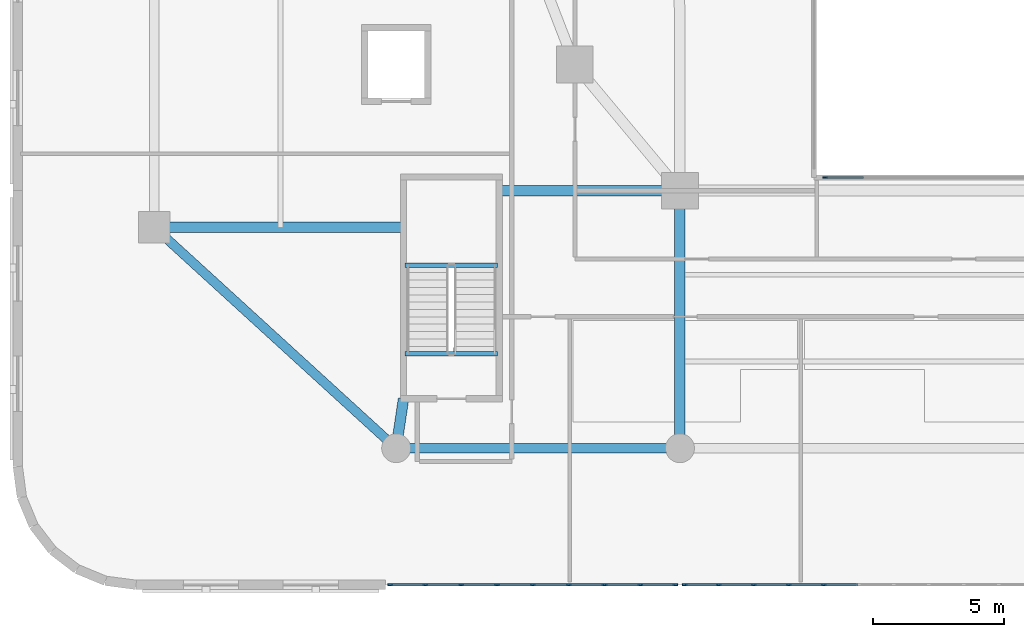
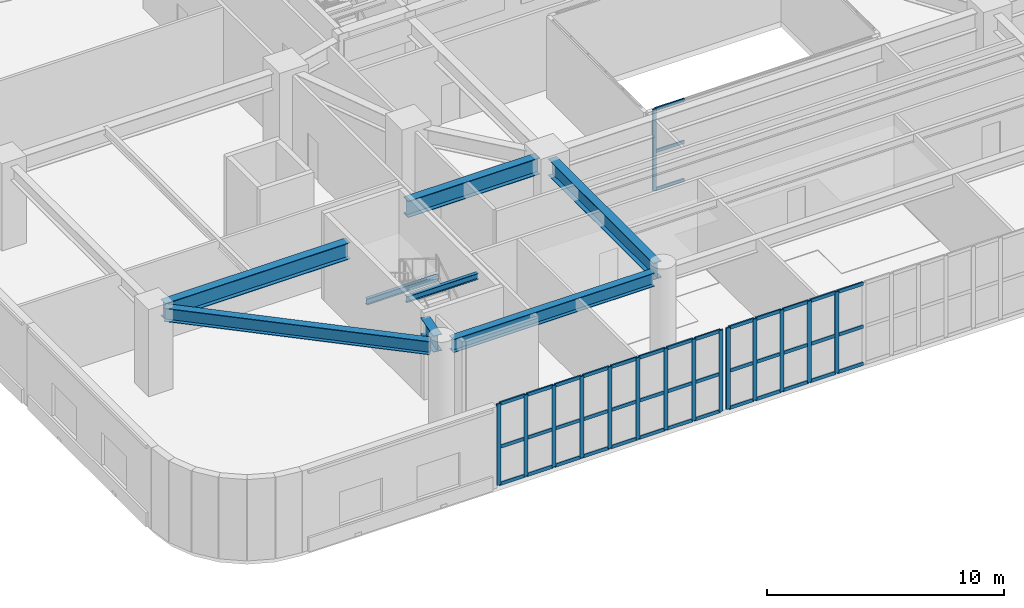
# One storey, part 3 of 25: 57 members, 8 beams, 3 elements without a shape of their own.
"""IFC4 building model written with IfcOpenShell, lengths in metres."""

from ifc_helpers import new_model, si_unit, direction, frame, origin, origin_2d, place, context, subcontext, project, spatial, rectangle, i_section, extrude, material, material_profile, profile_set, type_object, element, aggregate, save


model = new_model("IFC4")

# Units and contexts
model_context = context("Model", 3, precision=1e-05, world=origin(), true_north=direction((0.0, 1.0)))
body_context = subcontext(model_context, "Body", "Model", "MODEL_VIEW")
ifc_project = project(units=[si_unit("LENGTHUNIT", "METRE"), si_unit("AREAUNIT", "SQUARE_METRE"), si_unit("VOLUMEUNIT", "CUBIC_METRE"), si_unit("PLANEANGLEUNIT", "RADIAN"), si_unit("MASSUNIT", "GRAM", prefix="KILO")], contexts=[model_context])

# Site, building, storey
site_placement = place(None, origin())
site = spatial("IfcSite", under=ifc_project, at=site_placement, CompositionType="ELEMENT")
building_placement = place(site_placement, origin())
building = spatial("IfcBuilding", under=site, at=building_placement, Name="Haldorwick Loom Tower", CompositionType="ELEMENT")
storey_placement = place(building_placement, frame((0.0, 0.0, 15.0)))
storey = spatial("IfcBuildingStorey", under=building, at=storey_placement, Name="L03", CompositionType="ELEMENT", Elevation=15.0)

# Curtain wall, members
ifc_material_1 = material(Name="Thermally Broken Anodized Aluminium Curtain Wall Framing", Category="aluminium")
curtain_wall_type_1 = type_object("IfcCurtainWallType", Name="ARC-CW-02", PredefinedType="NOTDEFINED", material=ifc_material_1)
curtain_wall_1_placement = place(storey_placement, origin())
curtain_wall_1 = element("IfcCurtainWall", 1, at=curtain_wall_1_placement, inside=storey, type_object=curtain_wall_type_1, Name="L03 Facade Curtain Wall CW-02 Bay 39", PredefinedType="NOTDEFINED")
ifc_material_profile_1 = material_profile(ifc_material_1, rectangle(XDim=0.070068359375, YDim=0.195068359375, at=origin_2d()), Name="ALU_MUL_70X195", Category="aluminium")
ifc_profile_set_1 = profile_set([ifc_material_profile_1], Name="Thermally Broken Anodized Aluminium Curtain Wall Framing")
member_type_1 = type_object("IfcMemberType", Name="ARC-CWM-02", PredefinedType="MULLION", material=ifc_profile_set_1)
member_1_placement = place(storey_placement, frame((14.175048828125, 0.0, 0.0), z_axis=(0.0, 0.0, 1.0), x_axis=(0.0, 1.0, 0.0)))
member_1 = element("IfcMember", 2, at=member_1_placement, type_object=member_type_1, Name="CW-02 mullion 1", PredefinedType="MULLION", context=body_context, shape_type="SweptSolid", body=[
    extrude(rectangle(XDim=0.070068359375, YDim=0.195068359375, at=origin_2d()), origin(), (0.0, 0.0, 1.0), 4.199951171875),
])
member_2_placement = place(storey_placement, frame((15.5048828125, 0.0, 0.0), z_axis=(0.0, 0.0, 1.0), x_axis=(0.0, 1.0, 0.0)))
member_2 = element("IfcMember", 3, at=member_2_placement, type_object=member_type_1, Name="CW-02 mullion 2", PredefinedType="MULLION", context=body_context, shape_type="SweptSolid", body=[
    extrude(rectangle(XDim=0.070068359375, YDim=0.195068359375, at=origin_2d()), origin(), (0.0, 0.0, 1.0), 4.199951171875),
])
member_3_placement = place(storey_placement, frame((16.8701171875, 0.0, 0.0), z_axis=(0.0, 0.0, 1.0), x_axis=(0.0, 1.0, 0.0)))
member_3 = element("IfcMember", 4, at=member_3_placement, type_object=member_type_1, Name="CW-02 mullion 3", PredefinedType="MULLION", context=body_context, shape_type="SweptSolid", body=[
    extrude(rectangle(XDim=0.070068359375, YDim=0.195068359375, at=origin_2d()), origin(), (0.0, 0.0, 1.0), 4.199951171875),
])
member_4_placement = place(storey_placement, frame((18.235107421875, 0.0, 0.0), z_axis=(0.0, 0.0, 1.0), x_axis=(0.0, 1.0, 0.0)))
member_4 = element("IfcMember", 5, at=member_4_placement, type_object=member_type_1, Name="CW-02 mullion 4", PredefinedType="MULLION", context=body_context, shape_type="SweptSolid", body=[
    extrude(rectangle(XDim=0.070068359375, YDim=0.195068359375, at=origin_2d()), origin(), (0.0, 0.0, 1.0), 4.199951171875),
])
member_5_placement = place(storey_placement, frame((19.60009765625, 0.0, 0.0), z_axis=(0.0, 0.0, 1.0), x_axis=(0.0, 1.0, 0.0)))
member_5 = element("IfcMember", 6, at=member_5_placement, type_object=member_type_1, Name="CW-02 mullion 5", PredefinedType="MULLION", context=body_context, shape_type="SweptSolid", body=[
    extrude(rectangle(XDim=0.070068359375, YDim=0.195068359375, at=origin_2d()), origin(), (0.0, 0.0, 1.0), 4.199951171875),
])
member_6_placement = place(storey_placement, frame((20.965087890625, 0.0, 0.0), z_axis=(0.0, 0.0, 1.0), x_axis=(0.0, 1.0, 0.0)))
member_6 = element("IfcMember", 7, at=member_6_placement, type_object=member_type_1, Name="CW-02 mullion 6", PredefinedType="MULLION", context=body_context, shape_type="SweptSolid", body=[
    extrude(rectangle(XDim=0.070068359375, YDim=0.195068359375, at=origin_2d()), origin(), (0.0, 0.0, 1.0), 4.199951171875),
])
member_7_placement = place(storey_placement, frame((22.330078125, 0.0, 0.0), z_axis=(0.0, 0.0, 1.0), x_axis=(0.0, 1.0, 0.0)))
member_7 = element("IfcMember", 8, at=member_7_placement, type_object=member_type_1, Name="CW-02 mullion 7", PredefinedType="MULLION", context=body_context, shape_type="SweptSolid", body=[
    extrude(rectangle(XDim=0.070068359375, YDim=0.195068359375, at=origin_2d()), origin(), (0.0, 0.0, 1.0), 4.199951171875),
])
member_8_placement = place(storey_placement, frame((23.695068359375, 0.0, 0.0), z_axis=(0.0, 0.0, 1.0), x_axis=(0.0, 1.0, 0.0)))
member_8 = element("IfcMember", 9, at=member_8_placement, type_object=member_type_1, Name="CW-02 mullion 8", PredefinedType="MULLION", context=body_context, shape_type="SweptSolid", body=[
    extrude(rectangle(XDim=0.070068359375, YDim=0.195068359375, at=origin_2d()), origin(), (0.0, 0.0, 1.0), 4.199951171875),
])
member_9_placement = place(storey_placement, frame((25.02490234375, 0.0, 0.0), z_axis=(0.0, 0.0, 1.0), x_axis=(0.0, 1.0, 0.0)))
member_9 = element("IfcMember", 10, at=member_9_placement, type_object=member_type_1, Name="CW-02 mullion 9", PredefinedType="MULLION", context=body_context, shape_type="SweptSolid", body=[
    extrude(rectangle(XDim=0.070068359375, YDim=0.195068359375, at=origin_2d()), origin(), (0.0, 0.0, 1.0), 4.199951171875),
])

curtain_wall_2_placement = place(storey_placement, origin())
curtain_wall_2 = element("IfcCurtainWall", 11, at=curtain_wall_2_placement, inside=storey, type_object=curtain_wall_type_1, Name="L03 Facade Curtain Wall CW-02 Bay 40", PredefinedType="NOTDEFINED")
member_10_placement = place(storey_placement, frame((25.375, 0.0, 0.0), z_axis=(0.0, 0.0, 1.0), x_axis=(0.0, 1.0, 0.0)))
member_10 = element("IfcMember", 12, at=member_10_placement, type_object=member_type_1, Name="CW-02 mullion 1", PredefinedType="MULLION", context=body_context, shape_type="SweptSolid", body=[
    extrude(rectangle(XDim=0.070068359375, YDim=0.195068359375, at=origin_2d()), origin(), (0.0, 0.0, 1.0), 4.199951171875),
])
member_11_placement = place(storey_placement, frame((26.672607421875, 0.0, 0.0), z_axis=(0.0, 0.0, 1.0), x_axis=(0.0, 1.0, 0.0)))
member_11 = element("IfcMember", 13, at=member_11_placement, type_object=member_type_1, Name="CW-02 mullion 2", PredefinedType="MULLION", context=body_context, shape_type="SweptSolid", body=[
    extrude(rectangle(XDim=0.070068359375, YDim=0.195068359375, at=origin_2d()), origin(), (0.0, 0.0, 1.0), 4.199951171875),
])
member_12_placement = place(storey_placement, frame((28.0048828125, 0.0, 0.0), z_axis=(0.0, 0.0, 1.0), x_axis=(0.0, 1.0, 0.0)))
member_12 = element("IfcMember", 14, at=member_12_placement, type_object=member_type_1, Name="CW-02 mullion 3", PredefinedType="MULLION", context=body_context, shape_type="SweptSolid", body=[
    extrude(rectangle(XDim=0.070068359375, YDim=0.195068359375, at=origin_2d()), origin(), (0.0, 0.0, 1.0), 4.199951171875),
])
member_13_placement = place(storey_placement, frame((29.33740234375, 0.0, 0.0), z_axis=(0.0, 0.0, 1.0), x_axis=(0.0, 1.0, 0.0)))
member_13 = element("IfcMember", 15, at=member_13_placement, type_object=member_type_1, Name="CW-02 mullion 4", PredefinedType="MULLION", context=body_context, shape_type="SweptSolid", body=[
    extrude(rectangle(XDim=0.070068359375, YDim=0.195068359375, at=origin_2d()), origin(), (0.0, 0.0, 1.0), 4.199951171875),
])
member_14_placement = place(storey_placement, frame((30.669921875, 0.0, 0.0), z_axis=(0.0, 0.0, 1.0), x_axis=(0.0, 1.0, 0.0)))
member_14 = element("IfcMember", 16, at=member_14_placement, type_object=member_type_1, Name="CW-02 mullion 5", PredefinedType="MULLION", context=body_context, shape_type="SweptSolid", body=[
    extrude(rectangle(XDim=0.070068359375, YDim=0.195068359375, at=origin_2d()), origin(), (0.0, 0.0, 1.0), 4.199951171875),
])

# Curtain wall, member
curtain_wall_type_2 = type_object("IfcCurtainWallType", Name="ARC-CW-03", PredefinedType="NOTDEFINED", material=ifc_material_1)
curtain_wall_3_placement = place(storey_placement, origin())
curtain_wall_3 = element("IfcCurtainWall", 17, at=curtain_wall_3_placement, inside=storey, type_object=curtain_wall_type_2, Name="L03 Atrium Glazed Screen S", PredefinedType="NOTDEFINED")
ifc_material_profile_2 = material_profile(ifc_material_1, rectangle(XDim=0.06591796875, YDim=0.18505859375, at=origin_2d()), Name="ALU_MUL_66X185", Category="aluminium")
ifc_profile_set_2 = profile_set([ifc_material_profile_2], Name="Thermally Broken Anodized Aluminium Curtain Wall Framing")
member_type_2 = type_object("IfcMemberType", Name="ARC-CWM-03", PredefinedType="MULLION", material=ifc_profile_set_2)
member_15_placement = place(storey_placement, frame((30.73291015625, 15.5, 0.0), z_axis=(0.0, 0.0, 1.0), x_axis=(0.0, -1.0, 0.0)))
member_15 = element("IfcMember", 18, at=member_15_placement, type_object=member_type_2, Name="CW-03 mullion 8", PredefinedType="MULLION", context=body_context, shape_type="SweptSolid", body=[
    extrude(rectangle(XDim=0.06591796875, YDim=0.18505859375, at=origin_2d()), origin(), (0.0, 0.0, 1.0), 4.199951171875),
])

# Member
ifc_material_profile_3 = material_profile(ifc_material_1, rectangle(XDim=0.070068359375, YDim=0.175048828125, at=origin_2d()), Name="ALU_TRN_70X175", Category="aluminium")
ifc_profile_set_3 = profile_set([ifc_material_profile_3], Name="Thermally Broken Anodized Aluminium Curtain Wall Framing")
member_type_3 = type_object("IfcMemberType", Name="ARC-CWT-02", PredefinedType="USERDEFINED", material=ifc_profile_set_3)
member_16_placement = place(storey_placement, frame((14.2099609375, 0.0, 0.034912109375), z_axis=(1.0, 0.0, 0.0), x_axis=(0.0, 1.0, 0.0)))
member_16 = element("IfcMember", 19, at=member_16_placement, type_object=member_type_3, Name="CW-02 transom 1.1", ObjectType="TRANSOM", PredefinedType="USERDEFINED", context=body_context, shape_type="SweptSolid", body=[
    extrude(rectangle(XDim=0.070068359375, YDim=0.175048828125, at=origin_2d()), origin(), (0.0, 0.0, 1.0), 1.260009765625),
])

member_17_placement = place(storey_placement, frame((14.2099609375, 0.0, 1.949951171875), z_axis=(1.0, 0.0, 0.0), x_axis=(0.0, 1.0, 0.0)))
member_17 = element("IfcMember", 20, at=member_17_placement, type_object=member_type_3, Name="CW-02 transom 1.2", ObjectType="TRANSOM", PredefinedType="USERDEFINED", context=body_context, shape_type="SweptSolid", body=[
    extrude(rectangle(XDim=0.070068359375, YDim=0.175048828125, at=origin_2d()), origin(), (0.0, 0.0, 1.0), 1.260009765625),
])

member_18_placement = place(storey_placement, frame((14.2099609375, 0.0, 4.1650390625), z_axis=(1.0, 0.0, 0.0), x_axis=(0.0, 1.0, 0.0)))
member_18 = element("IfcMember", 21, at=member_18_placement, type_object=member_type_3, Name="CW-02 transom 1.3", ObjectType="TRANSOM", PredefinedType="USERDEFINED", context=body_context, shape_type="SweptSolid", body=[
    extrude(rectangle(XDim=0.070068359375, YDim=0.175048828125, at=origin_2d()), origin(), (0.0, 0.0, 1.0), 1.260009765625),
])

member_19_placement = place(storey_placement, frame((15.5400390625, 0.0, 0.034912109375), z_axis=(1.0, 0.0, 0.0), x_axis=(0.0, 1.0, 0.0)))
member_19 = element("IfcMember", 22, at=member_19_placement, type_object=member_type_3, Name="CW-02 transom 2.1", ObjectType="TRANSOM", PredefinedType="USERDEFINED", context=body_context, shape_type="SweptSolid", body=[
    extrude(rectangle(XDim=0.070068359375, YDim=0.175048828125, at=origin_2d()), origin(), (0.0, 0.0, 1.0), 1.294921875),
])

member_20_placement = place(storey_placement, frame((15.5400390625, 0.0, 1.949951171875), z_axis=(1.0, 0.0, 0.0), x_axis=(0.0, 1.0, 0.0)))
member_20 = element("IfcMember", 23, at=member_20_placement, type_object=member_type_3, Name="CW-02 transom 2.2", ObjectType="TRANSOM", PredefinedType="USERDEFINED", context=body_context, shape_type="SweptSolid", body=[
    extrude(rectangle(XDim=0.070068359375, YDim=0.175048828125, at=origin_2d()), origin(), (0.0, 0.0, 1.0), 1.294921875),
])

member_21_placement = place(storey_placement, frame((15.5400390625, 0.0, 4.1650390625), z_axis=(1.0, 0.0, 0.0), x_axis=(0.0, 1.0, 0.0)))
member_21 = element("IfcMember", 24, at=member_21_placement, type_object=member_type_3, Name="CW-02 transom 2.3", ObjectType="TRANSOM", PredefinedType="USERDEFINED", context=body_context, shape_type="SweptSolid", body=[
    extrude(rectangle(XDim=0.070068359375, YDim=0.175048828125, at=origin_2d()), origin(), (0.0, 0.0, 1.0), 1.294921875),
])

member_22_placement = place(storey_placement, frame((16.905029296875, 0.0, 0.034912109375), z_axis=(1.0, 0.0, 0.0), x_axis=(0.0, 1.0, 0.0)))
member_22 = element("IfcMember", 25, at=member_22_placement, type_object=member_type_3, Name="CW-02 transom 3.1", ObjectType="TRANSOM", PredefinedType="USERDEFINED", context=body_context, shape_type="SweptSolid", body=[
    extrude(rectangle(XDim=0.070068359375, YDim=0.175048828125, at=origin_2d()), origin(), (0.0, 0.0, 1.0), 1.294921875),
])

member_23_placement = place(storey_placement, frame((16.905029296875, 0.0, 1.949951171875), z_axis=(1.0, 0.0, 0.0), x_axis=(0.0, 1.0, 0.0)))
member_23 = element("IfcMember", 26, at=member_23_placement, type_object=member_type_3, Name="CW-02 transom 3.2", ObjectType="TRANSOM", PredefinedType="USERDEFINED", context=body_context, shape_type="SweptSolid", body=[
    extrude(rectangle(XDim=0.070068359375, YDim=0.175048828125, at=origin_2d()), origin(), (0.0, 0.0, 1.0), 1.294921875),
])

member_24_placement = place(storey_placement, frame((16.905029296875, 0.0, 4.1650390625), z_axis=(1.0, 0.0, 0.0), x_axis=(0.0, 1.0, 0.0)))
member_24 = element("IfcMember", 27, at=member_24_placement, type_object=member_type_3, Name="CW-02 transom 3.3", ObjectType="TRANSOM", PredefinedType="USERDEFINED", context=body_context, shape_type="SweptSolid", body=[
    extrude(rectangle(XDim=0.070068359375, YDim=0.175048828125, at=origin_2d()), origin(), (0.0, 0.0, 1.0), 1.294921875),
])

member_25_placement = place(storey_placement, frame((18.27001953125, 0.0, 0.034912109375), z_axis=(1.0, 0.0, 0.0), x_axis=(0.0, 1.0, 0.0)))
member_25 = element("IfcMember", 28, at=member_25_placement, type_object=member_type_3, Name="CW-02 transom 4.1", ObjectType="TRANSOM", PredefinedType="USERDEFINED", context=body_context, shape_type="SweptSolid", body=[
    extrude(rectangle(XDim=0.070068359375, YDim=0.175048828125, at=origin_2d()), origin(), (0.0, 0.0, 1.0), 1.294921875),
])

member_26_placement = place(storey_placement, frame((18.27001953125, 0.0, 1.949951171875), z_axis=(1.0, 0.0, 0.0), x_axis=(0.0, 1.0, 0.0)))
member_26 = element("IfcMember", 29, at=member_26_placement, type_object=member_type_3, Name="CW-02 transom 4.2", ObjectType="TRANSOM", PredefinedType="USERDEFINED", context=body_context, shape_type="SweptSolid", body=[
    extrude(rectangle(XDim=0.070068359375, YDim=0.175048828125, at=origin_2d()), origin(), (0.0, 0.0, 1.0), 1.294921875),
])

member_27_placement = place(storey_placement, frame((18.27001953125, 0.0, 4.1650390625), z_axis=(1.0, 0.0, 0.0), x_axis=(0.0, 1.0, 0.0)))
member_27 = element("IfcMember", 30, at=member_27_placement, type_object=member_type_3, Name="CW-02 transom 4.3", ObjectType="TRANSOM", PredefinedType="USERDEFINED", context=body_context, shape_type="SweptSolid", body=[
    extrude(rectangle(XDim=0.070068359375, YDim=0.175048828125, at=origin_2d()), origin(), (0.0, 0.0, 1.0), 1.294921875),
])

member_28_placement = place(storey_placement, frame((19.635009765625, 0.0, 0.034912109375), z_axis=(1.0, 0.0, 0.0), x_axis=(0.0, 1.0, 0.0)))
member_28 = element("IfcMember", 31, at=member_28_placement, type_object=member_type_3, Name="CW-02 transom 5.1", ObjectType="TRANSOM", PredefinedType="USERDEFINED", context=body_context, shape_type="SweptSolid", body=[
    extrude(rectangle(XDim=0.070068359375, YDim=0.175048828125, at=origin_2d()), origin(), (0.0, 0.0, 1.0), 1.294921875),
])

member_29_placement = place(storey_placement, frame((19.635009765625, 0.0, 1.949951171875), z_axis=(1.0, 0.0, 0.0), x_axis=(0.0, 1.0, 0.0)))
member_29 = element("IfcMember", 32, at=member_29_placement, type_object=member_type_3, Name="CW-02 transom 5.2", ObjectType="TRANSOM", PredefinedType="USERDEFINED", context=body_context, shape_type="SweptSolid", body=[
    extrude(rectangle(XDim=0.070068359375, YDim=0.175048828125, at=origin_2d()), origin(), (0.0, 0.0, 1.0), 1.294921875),
])

member_30_placement = place(storey_placement, frame((19.635009765625, 0.0, 4.1650390625), z_axis=(1.0, 0.0, 0.0), x_axis=(0.0, 1.0, 0.0)))
member_30 = element("IfcMember", 33, at=member_30_placement, type_object=member_type_3, Name="CW-02 transom 5.3", ObjectType="TRANSOM", PredefinedType="USERDEFINED", context=body_context, shape_type="SweptSolid", body=[
    extrude(rectangle(XDim=0.070068359375, YDim=0.175048828125, at=origin_2d()), origin(), (0.0, 0.0, 1.0), 1.294921875),
])

member_31_placement = place(storey_placement, frame((21.0, 0.0, 0.034912109375), z_axis=(1.0, 0.0, 0.0), x_axis=(0.0, 1.0, 0.0)))
member_31 = element("IfcMember", 34, at=member_31_placement, type_object=member_type_3, Name="CW-02 transom 6.1", ObjectType="TRANSOM", PredefinedType="USERDEFINED", context=body_context, shape_type="SweptSolid", body=[
    extrude(rectangle(XDim=0.070068359375, YDim=0.175048828125, at=origin_2d()), origin(), (0.0, 0.0, 1.0), 1.294921875),
])

member_32_placement = place(storey_placement, frame((21.0, 0.0, 1.949951171875), z_axis=(1.0, 0.0, 0.0), x_axis=(0.0, 1.0, 0.0)))
member_32 = element("IfcMember", 35, at=member_32_placement, type_object=member_type_3, Name="CW-02 transom 6.2", ObjectType="TRANSOM", PredefinedType="USERDEFINED", context=body_context, shape_type="SweptSolid", body=[
    extrude(rectangle(XDim=0.070068359375, YDim=0.175048828125, at=origin_2d()), origin(), (0.0, 0.0, 1.0), 1.294921875),
])

member_33_placement = place(storey_placement, frame((21.0, 0.0, 4.1650390625), z_axis=(1.0, 0.0, 0.0), x_axis=(0.0, 1.0, 0.0)))
member_33 = element("IfcMember", 36, at=member_33_placement, type_object=member_type_3, Name="CW-02 transom 6.3", ObjectType="TRANSOM", PredefinedType="USERDEFINED", context=body_context, shape_type="SweptSolid", body=[
    extrude(rectangle(XDim=0.070068359375, YDim=0.175048828125, at=origin_2d()), origin(), (0.0, 0.0, 1.0), 1.294921875),
])

member_34_placement = place(storey_placement, frame((22.364990234375, 0.0, 0.034912109375), z_axis=(1.0, 0.0, 0.0), x_axis=(0.0, 1.0, 0.0)))
member_34 = element("IfcMember", 37, at=member_34_placement, type_object=member_type_3, Name="CW-02 transom 7.1", ObjectType="TRANSOM", PredefinedType="USERDEFINED", context=body_context, shape_type="SweptSolid", body=[
    extrude(rectangle(XDim=0.070068359375, YDim=0.175048828125, at=origin_2d()), origin(), (0.0, 0.0, 1.0), 1.294921875),
])

member_35_placement = place(storey_placement, frame((22.364990234375, 0.0, 1.949951171875), z_axis=(1.0, 0.0, 0.0), x_axis=(0.0, 1.0, 0.0)))
member_35 = element("IfcMember", 38, at=member_35_placement, type_object=member_type_3, Name="CW-02 transom 7.2", ObjectType="TRANSOM", PredefinedType="USERDEFINED", context=body_context, shape_type="SweptSolid", body=[
    extrude(rectangle(XDim=0.070068359375, YDim=0.175048828125, at=origin_2d()), origin(), (0.0, 0.0, 1.0), 1.294921875),
])

member_36_placement = place(storey_placement, frame((22.364990234375, 0.0, 4.1650390625), z_axis=(1.0, 0.0, 0.0), x_axis=(0.0, 1.0, 0.0)))
member_36 = element("IfcMember", 39, at=member_36_placement, type_object=member_type_3, Name="CW-02 transom 7.3", ObjectType="TRANSOM", PredefinedType="USERDEFINED", context=body_context, shape_type="SweptSolid", body=[
    extrude(rectangle(XDim=0.070068359375, YDim=0.175048828125, at=origin_2d()), origin(), (0.0, 0.0, 1.0), 1.294921875),
])

member_37_placement = place(storey_placement, frame((23.72998046875, 0.0, 0.034912109375), z_axis=(1.0, 0.0, 0.0), x_axis=(0.0, 1.0, 0.0)))
member_37 = element("IfcMember", 40, at=member_37_placement, type_object=member_type_3, Name="CW-02 transom 8.1", ObjectType="TRANSOM", PredefinedType="USERDEFINED", context=body_context, shape_type="SweptSolid", body=[
    extrude(rectangle(XDim=0.070068359375, YDim=0.175048828125, at=origin_2d()), origin(), (0.0, 0.0, 1.0), 1.260009765625),
])

member_38_placement = place(storey_placement, frame((23.72998046875, 0.0, 1.949951171875), z_axis=(1.0, 0.0, 0.0), x_axis=(0.0, 1.0, 0.0)))
member_38 = element("IfcMember", 41, at=member_38_placement, type_object=member_type_3, Name="CW-02 transom 8.2", ObjectType="TRANSOM", PredefinedType="USERDEFINED", context=body_context, shape_type="SweptSolid", body=[
    extrude(rectangle(XDim=0.070068359375, YDim=0.175048828125, at=origin_2d()), origin(), (0.0, 0.0, 1.0), 1.260009765625),
])

member_39_placement = place(storey_placement, frame((23.72998046875, 0.0, 4.1650390625), z_axis=(1.0, 0.0, 0.0), x_axis=(0.0, 1.0, 0.0)))
member_39 = element("IfcMember", 42, at=member_39_placement, type_object=member_type_3, Name="CW-02 transom 8.3", ObjectType="TRANSOM", PredefinedType="USERDEFINED", context=body_context, shape_type="SweptSolid", body=[
    extrude(rectangle(XDim=0.070068359375, YDim=0.175048828125, at=origin_2d()), origin(), (0.0, 0.0, 1.0), 1.260009765625),
])

aggregate(curtain_wall_1, [member_1, member_2, member_3, member_4, member_5, member_6, member_7, member_8, member_9, member_16, member_17, member_18, member_19, member_20, member_21, member_22, member_23, member_24, member_25, member_26, member_27, member_28, member_29, member_30, member_31, member_32, member_33, member_34, member_35, member_36, member_37, member_38, member_39])

member_40_placement = place(storey_placement, frame((25.409912109375, 0.0, 0.034912109375), z_axis=(1.0, 0.0, 0.0), x_axis=(0.0, 1.0, 0.0)))
member_40 = element("IfcMember", 43, at=member_40_placement, type_object=member_type_3, Name="CW-02 transom 1.1", ObjectType="TRANSOM", PredefinedType="USERDEFINED", context=body_context, shape_type="SweptSolid", body=[
    extrude(rectangle(XDim=0.070068359375, YDim=0.175048828125, at=origin_2d()), origin(), (0.0, 0.0, 1.0), 1.2275390625),
])

member_41_placement = place(storey_placement, frame((25.409912109375, 0.0, 1.949951171875), z_axis=(1.0, 0.0, 0.0), x_axis=(0.0, 1.0, 0.0)))
member_41 = element("IfcMember", 44, at=member_41_placement, type_object=member_type_3, Name="CW-02 transom 1.2", ObjectType="TRANSOM", PredefinedType="USERDEFINED", context=body_context, shape_type="SweptSolid", body=[
    extrude(rectangle(XDim=0.070068359375, YDim=0.175048828125, at=origin_2d()), origin(), (0.0, 0.0, 1.0), 1.2275390625),
])

member_42_placement = place(storey_placement, frame((25.409912109375, 0.0, 4.1650390625), z_axis=(1.0, 0.0, 0.0), x_axis=(0.0, 1.0, 0.0)))
member_42 = element("IfcMember", 45, at=member_42_placement, type_object=member_type_3, Name="CW-02 transom 1.3", ObjectType="TRANSOM", PredefinedType="USERDEFINED", context=body_context, shape_type="SweptSolid", body=[
    extrude(rectangle(XDim=0.070068359375, YDim=0.175048828125, at=origin_2d()), origin(), (0.0, 0.0, 1.0), 1.2275390625),
])

member_43_placement = place(storey_placement, frame((26.70751953125, 0.0, 0.034912109375), z_axis=(1.0, 0.0, 0.0), x_axis=(0.0, 1.0, 0.0)))
member_43 = element("IfcMember", 46, at=member_43_placement, type_object=member_type_3, Name="CW-02 transom 2.1", ObjectType="TRANSOM", PredefinedType="USERDEFINED", context=body_context, shape_type="SweptSolid", body=[
    extrude(rectangle(XDim=0.070068359375, YDim=0.175048828125, at=origin_2d()), origin(), (0.0, 0.0, 1.0), 1.262451171875),
])

member_44_placement = place(storey_placement, frame((26.70751953125, 0.0, 1.949951171875), z_axis=(1.0, 0.0, 0.0), x_axis=(0.0, 1.0, 0.0)))
member_44 = element("IfcMember", 47, at=member_44_placement, type_object=member_type_3, Name="CW-02 transom 2.2", ObjectType="TRANSOM", PredefinedType="USERDEFINED", context=body_context, shape_type="SweptSolid", body=[
    extrude(rectangle(XDim=0.070068359375, YDim=0.175048828125, at=origin_2d()), origin(), (0.0, 0.0, 1.0), 1.262451171875),
])

member_45_placement = place(storey_placement, frame((26.70751953125, 0.0, 4.1650390625), z_axis=(1.0, 0.0, 0.0), x_axis=(0.0, 1.0, 0.0)))
member_45 = element("IfcMember", 48, at=member_45_placement, type_object=member_type_3, Name="CW-02 transom 2.3", ObjectType="TRANSOM", PredefinedType="USERDEFINED", context=body_context, shape_type="SweptSolid", body=[
    extrude(rectangle(XDim=0.070068359375, YDim=0.175048828125, at=origin_2d()), origin(), (0.0, 0.0, 1.0), 1.262451171875),
])

member_46_placement = place(storey_placement, frame((28.0400390625, 0.0, 0.034912109375), z_axis=(1.0, 0.0, 0.0), x_axis=(0.0, 1.0, 0.0)))
member_46 = element("IfcMember", 49, at=member_46_placement, type_object=member_type_3, Name="CW-02 transom 3.1", ObjectType="TRANSOM", PredefinedType="USERDEFINED", context=body_context, shape_type="SweptSolid", body=[
    extrude(rectangle(XDim=0.070068359375, YDim=0.175048828125, at=origin_2d()), origin(), (0.0, 0.0, 1.0), 1.262451171875),
])

member_47_placement = place(storey_placement, frame((28.0400390625, 0.0, 1.949951171875), z_axis=(1.0, 0.0, 0.0), x_axis=(0.0, 1.0, 0.0)))
member_47 = element("IfcMember", 50, at=member_47_placement, type_object=member_type_3, Name="CW-02 transom 3.2", ObjectType="TRANSOM", PredefinedType="USERDEFINED", context=body_context, shape_type="SweptSolid", body=[
    extrude(rectangle(XDim=0.070068359375, YDim=0.175048828125, at=origin_2d()), origin(), (0.0, 0.0, 1.0), 1.262451171875),
])

member_48_placement = place(storey_placement, frame((28.0400390625, 0.0, 4.1650390625), z_axis=(1.0, 0.0, 0.0), x_axis=(0.0, 1.0, 0.0)))
member_48 = element("IfcMember", 51, at=member_48_placement, type_object=member_type_3, Name="CW-02 transom 3.3", ObjectType="TRANSOM", PredefinedType="USERDEFINED", context=body_context, shape_type="SweptSolid", body=[
    extrude(rectangle(XDim=0.070068359375, YDim=0.175048828125, at=origin_2d()), origin(), (0.0, 0.0, 1.0), 1.262451171875),
])

member_49_placement = place(storey_placement, frame((29.37255859375, 0.0, 0.034912109375), z_axis=(1.0, 0.0, 0.0), x_axis=(0.0, 1.0, 0.0)))
member_49 = element("IfcMember", 52, at=member_49_placement, type_object=member_type_3, Name="CW-02 transom 4.1", ObjectType="TRANSOM", PredefinedType="USERDEFINED", context=body_context, shape_type="SweptSolid", body=[
    extrude(rectangle(XDim=0.070068359375, YDim=0.175048828125, at=origin_2d()), origin(), (0.0, 0.0, 1.0), 1.262451171875),
])

member_50_placement = place(storey_placement, frame((29.37255859375, 0.0, 1.949951171875), z_axis=(1.0, 0.0, 0.0), x_axis=(0.0, 1.0, 0.0)))
member_50 = element("IfcMember", 53, at=member_50_placement, type_object=member_type_3, Name="CW-02 transom 4.2", ObjectType="TRANSOM", PredefinedType="USERDEFINED", context=body_context, shape_type="SweptSolid", body=[
    extrude(rectangle(XDim=0.070068359375, YDim=0.175048828125, at=origin_2d()), origin(), (0.0, 0.0, 1.0), 1.262451171875),
])

member_51_placement = place(storey_placement, frame((29.37255859375, 0.0, 4.1650390625), z_axis=(1.0, 0.0, 0.0), x_axis=(0.0, 1.0, 0.0)))
member_51 = element("IfcMember", 54, at=member_51_placement, type_object=member_type_3, Name="CW-02 transom 4.3", ObjectType="TRANSOM", PredefinedType="USERDEFINED", context=body_context, shape_type="SweptSolid", body=[
    extrude(rectangle(XDim=0.070068359375, YDim=0.175048828125, at=origin_2d()), origin(), (0.0, 0.0, 1.0), 1.262451171875),
])

member_52_placement = place(storey_placement, frame((30.705078125, 0.0, 0.034912109375), z_axis=(1.0, 0.0, 0.0), x_axis=(0.0, 1.0, 0.0)))
member_52 = element("IfcMember", 55, at=member_52_placement, type_object=member_type_3, Name="CW-02 transom 5.1", ObjectType="TRANSOM", PredefinedType="USERDEFINED", context=body_context, shape_type="SweptSolid", body=[
    extrude(rectangle(XDim=0.070068359375, YDim=0.175048828125, at=origin_2d()), origin(), (0.0, 0.0, 1.0), 1.262451171875),
])

member_53_placement = place(storey_placement, frame((30.705078125, 0.0, 1.949951171875), z_axis=(1.0, 0.0, 0.0), x_axis=(0.0, 1.0, 0.0)))
member_53 = element("IfcMember", 56, at=member_53_placement, type_object=member_type_3, Name="CW-02 transom 5.2", ObjectType="TRANSOM", PredefinedType="USERDEFINED", context=body_context, shape_type="SweptSolid", body=[
    extrude(rectangle(XDim=0.070068359375, YDim=0.175048828125, at=origin_2d()), origin(), (0.0, 0.0, 1.0), 1.262451171875),
])

member_54_placement = place(storey_placement, frame((30.705078125, 0.0, 4.1650390625), z_axis=(1.0, 0.0, 0.0), x_axis=(0.0, 1.0, 0.0)))
member_54 = element("IfcMember", 57, at=member_54_placement, type_object=member_type_3, Name="CW-02 transom 5.3", ObjectType="TRANSOM", PredefinedType="USERDEFINED", context=body_context, shape_type="SweptSolid", body=[
    extrude(rectangle(XDim=0.070068359375, YDim=0.175048828125, at=origin_2d()), origin(), (0.0, 0.0, 1.0), 1.262451171875),
])

aggregate(curtain_wall_2, [member_10, member_11, member_12, member_13, member_14, member_40, member_41, member_42, member_43, member_44, member_45, member_46, member_47, member_48, member_49, member_50, member_51, member_52, member_53, member_54])

ifc_material_profile_4 = material_profile(ifc_material_1, rectangle(XDim=0.06591796875, YDim=0.1650390625, at=origin_2d()), Name="ALU_TRN_66X165", Category="aluminium")
ifc_profile_set_4 = profile_set([ifc_material_profile_4], Name="Thermally Broken Anodized Aluminium Curtain Wall Framing")
member_type_4 = type_object("IfcMemberType", Name="ARC-CWT-03", PredefinedType="USERDEFINED", material=ifc_profile_set_4)
member_55_placement = place(storey_placement, frame((32.181396484375, 15.5, 0.032958984375), z_axis=(-1.0, 0.0, 0.0), x_axis=(0.0, -1.0, 0.0)))
member_55 = element("IfcMember", 58, at=member_55_placement, type_object=member_type_4, Name="CW-03 transom 7.1", ObjectType="TRANSOM", PredefinedType="USERDEFINED", context=body_context, shape_type="SweptSolid", body=[
    extrude(rectangle(XDim=0.06591796875, YDim=0.1650390625, at=origin_2d()), origin(), (0.0, 0.0, 1.0), 1.415283203125),
])

member_56_placement = place(storey_placement, frame((32.181396484375, 15.5, 2.0), z_axis=(-1.0, 0.0, 0.0), x_axis=(0.0, -1.0, 0.0)))
member_56 = element("IfcMember", 59, at=member_56_placement, type_object=member_type_4, Name="CW-03 transom 7.2", ObjectType="TRANSOM", PredefinedType="USERDEFINED", context=body_context, shape_type="SweptSolid", body=[
    extrude(rectangle(XDim=0.06591796875, YDim=0.1650390625, at=origin_2d()), origin(), (0.0, 0.0, 1.0), 1.415283203125),
])

member_57_placement = place(storey_placement, frame((32.181396484375, 15.5, 4.1669921875), z_axis=(-1.0, 0.0, 0.0), x_axis=(0.0, -1.0, 0.0)))
member_57 = element("IfcMember", 60, at=member_57_placement, type_object=member_type_4, Name="CW-03 transom 7.3", ObjectType="TRANSOM", PredefinedType="USERDEFINED", context=body_context, shape_type="SweptSolid", body=[
    extrude(rectangle(XDim=0.06591796875, YDim=0.1650390625, at=origin_2d()), origin(), (0.0, 0.0, 1.0), 1.415283203125),
])

aggregate(curtain_wall_3, [member_15, member_55, member_56, member_57])

# Beams
ifc_material_2 = material(Name="Steel CSA G40.21 350W", Category="steel")
ifc_material_profile_5 = material_profile(ifc_material_2, i_section(OverallWidth=0.35498046875, OverallDepth=0.695068359375, WebThickness=0.015380859375, FlangeThickness=0.02490234375, at=origin_2d()), Name="W690X217", Category="steel")
ifc_profile_set_5 = profile_set([ifc_material_profile_5], Name="Steel CSA G40.21 350W")
beam_type_1 = type_object("IfcBeamType", Name="STR-BM-SP690", PredefinedType="SPANDREL", material=ifc_profile_set_5)
beam_1_placement = place(storey_placement, frame((5.554443359375, 13.2763671875, 3.8525390625), z_axis=(0.738482735745, -0.674272384876, 0.0), x_axis=(0.674272384876, 0.738482735745, 0.0)))
element("IfcBeam", 61, at=beam_1_placement, inside=storey, type_object=beam_type_1, Name="L03 Podium Spandrel PSP-S1", PredefinedType="SPANDREL", context=body_context, shape_type="SweptSolid", body=[
    extrude(i_section(OverallWidth=0.35498046875, OverallDepth=0.695068359375, WebThickness=0.015380859375, FlangeThickness=0.02490234375, at=origin_2d()), origin(), (0.0, 0.0, 1.0), 11.497802734375),
])
beam_2_placement = place(storey_placement, frame((14.8798828125, 5.199951171875, 3.8525390625), z_axis=(1.0, 0.0, 0.0), x_axis=(0.0, 1.0, 0.0)))
element("IfcBeam", 62, at=beam_2_placement, inside=storey, type_object=beam_type_1, Name="L03 Podium Spandrel PSP-S2", PredefinedType="SPANDREL", context=body_context, shape_type="SweptSolid", body=[
    extrude(i_section(OverallWidth=0.35498046875, OverallDepth=0.695068359375, WebThickness=0.015380859375, FlangeThickness=0.02490234375, at=origin_2d()), origin(), (0.0, 0.0, 1.0), 9.840087890625),
])
ifc_material_profile_6 = material_profile(ifc_material_2, i_section(OverallWidth=0.166015625, OverallDepth=0.31298828125, WebThickness=0.006591796875, FlangeThickness=0.01123046875, at=origin_2d()), Name="W310X45", Category="steel")
ifc_profile_set_6 = profile_set([ifc_material_profile_6], Name="Steel CSA G40.21 350W")
beam_type_2 = type_object("IfcBeamType", Name="STR-BM-STRM", PredefinedType="BEAM", material=ifc_profile_set_6)
for number, where, z_axis, x_axis, name in (
    (63, (14.739990234375, 8.800048828125, 4.04345703125), (1.0, 0.0, 0.0), (0.0, 1.0, 0.0), "L03 Stair ST-P1 Landing Edge Trimmer"),
    (64, (14.739990234375, 12.159912109375, 1.8935546875), (1.0, 0.0, 0.0), (0.0, 1.0, 0.0), "L03 Stair ST-P1 Half-Landing Trimmer 1"),
):
    element("IfcBeam", number, at=place(storey_placement, frame(where, z_axis=z_axis, x_axis=x_axis)), inside=storey, type_object=beam_type_2, Name=name, PredefinedType="BEAM", context=body_context, shape_type="SweptSolid", body=[
        extrude(i_section(OverallWidth=0.166015625, OverallDepth=0.31298828125, WebThickness=0.006591796875, FlangeThickness=0.01123046875, at=origin_2d()), origin(), (0.0, 0.0, 1.0), 3.52001953125),
    ])
ifc_material_profile_7 = material_profile(ifc_material_2, i_section(OverallWidth=0.39990234375, OverallDepth=0.85498046875, WebThickness=0.018310546875, FlangeThickness=0.029296875, at=origin_2d()), Name="W840X299", Category="steel")
ifc_profile_set_7 = profile_set([ifc_material_profile_7], Name="Steel CSA G40.21 350W")
beam_type_3 = type_object("IfcBeamType", Name="STR-BM-W840", PredefinedType="BEAM", material=ifc_profile_set_7)
beam_3_placement = place(storey_placement, frame((25.199951171875, 5.64990234375, 3.7724609375), z_axis=(0.0, 1.0, 0.0), x_axis=(-1.0, 0.0, 0.0)))
element("IfcBeam", 65, at=beam_3_placement, inside=storey, type_object=beam_type_3, Name="L03 Podium Primary Girder PG-01", PredefinedType="BEAM", context=body_context, shape_type="SweptSolid", body=[
    extrude(i_section(OverallWidth=0.39990234375, OverallDepth=0.85498046875, WebThickness=0.018310546875, FlangeThickness=0.029296875, at=origin_2d()), origin(), (0.0, 0.0, 1.0), 8.900146484375),
])
beam_4_placement = place(storey_placement, frame((5.64990234375, 13.60009765625, 3.7724609375), z_axis=(1.0, 0.0, 0.0), x_axis=(0.0, 1.0, 0.0)))
element("IfcBeam", 66, at=beam_4_placement, inside=storey, type_object=beam_type_3, Name="L03 Podium Primary Girder PG-06A", PredefinedType="BEAM", context=body_context, shape_type="SweptSolid", body=[
    extrude(i_section(OverallWidth=0.39990234375, OverallDepth=0.85498046875, WebThickness=0.018310546875, FlangeThickness=0.029296875, at=origin_2d()), origin(), (0.0, 0.0, 1.0), 9.030029296875),
])
beam_5_placement = place(storey_placement, frame((18.320068359375, 15.0, 3.7724609375), z_axis=(1.0, 0.0, 0.0), x_axis=(0.0, 1.0, 0.0)))
element("IfcBeam", 67, at=beam_5_placement, inside=storey, type_object=beam_type_3, Name="L03 Podium Primary Girder PG-06B", PredefinedType="BEAM", context=body_context, shape_type="SweptSolid", body=[
    extrude(i_section(OverallWidth=0.39990234375, OverallDepth=0.85498046875, WebThickness=0.018310546875, FlangeThickness=0.029296875, at=origin_2d()), origin(), (0.0, 0.0, 1.0), 6.429931640625),
])
beam_6_placement = place(storey_placement, frame((14.46630859375, 5.64501953125, 3.7724609375), z_axis=(0.147237749014, 0.989101129948, 0.0), x_axis=(-0.989101129948, 0.147237749014, 0.0)))
element("IfcBeam", 68, at=beam_6_placement, inside=storey, type_object=beam_type_3, Name="L03 Podium Primary Girder PG-16", PredefinedType="BEAM", context=body_context, shape_type="SweptSolid", body=[
    extrude(i_section(OverallWidth=0.39990234375, OverallDepth=0.85498046875, WebThickness=0.018310546875, FlangeThickness=0.029296875, at=origin_2d()), origin(), (0.0, 0.0, 1.0), 1.450927734375),
])

save(model, "model.ifc")
